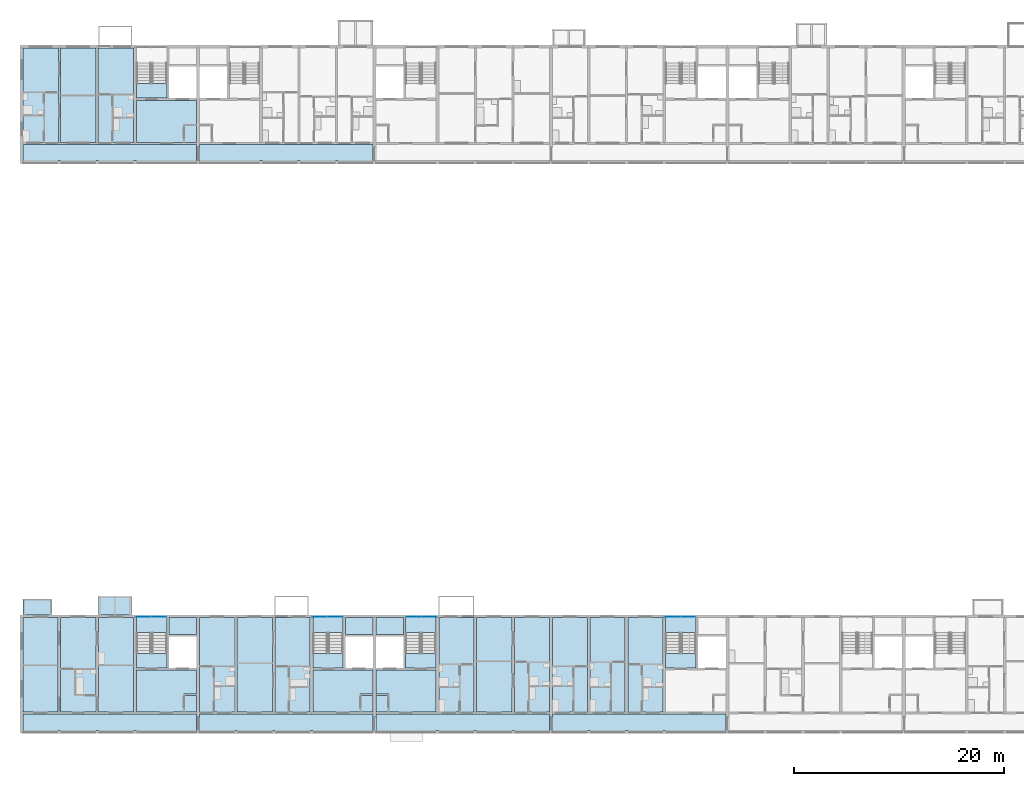
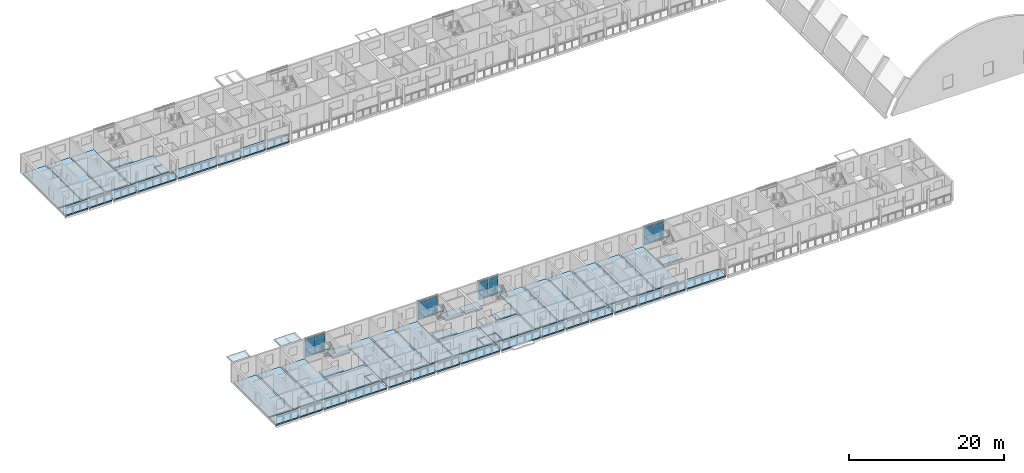
# One storey, part 24 of 100: 43 slabs, 16 plates, 8 elements without a shape of their own.
"""IFC4 building model written with IfcOpenShell, lengths in metres."""

from ifc_helpers import new_model, si_unit, direction, frame, origin, origin_2d, place, context, subcontext, project, spatial, polyline, rectangle, outline, extrude, material, layer, layer_set, type_object, element, aggregate, save


model = new_model("IFC4")

# Units and contexts
model_context = context("Model", 3, precision=1e-05, world=origin(), true_north=direction((0.0, 1.0)))
body_context = subcontext(model_context, "Body", "Model", "MODEL_VIEW")
ifc_project = project(units=[si_unit("LENGTHUNIT", "METRE"), si_unit("AREAUNIT", "SQUARE_METRE"), si_unit("VOLUMEUNIT", "CUBIC_METRE"), si_unit("PLANEANGLEUNIT", "RADIAN"), si_unit("MASSUNIT", "GRAM", prefix="KILO")], contexts=[model_context])

# Site, building, storey
site_placement = place(None, origin())
site = spatial("IfcSite", under=ifc_project, at=site_placement, CompositionType="ELEMENT")
building_placement = place(site_placement, origin())
building = spatial("IfcBuilding", under=site, at=building_placement, Name="Ridgestep Commons", CompositionType="ELEMENT")
storey_placement = place(building_placement, frame((0.0, 0.0, 9.0)))
storey = spatial("IfcBuildingStorey", under=building, at=storey_placement, Name="L03", CompositionType="ELEMENT", Elevation=9.0)

# Slabs
ifc_material_1 = material(Name="Precast concrete C40/50", Category="concrete")
ifc_layer_1 = layer(ifc_material_1, 0.199951171875)
ifc_layer_set_1 = layer_set([ifc_layer_1], Name="Gallery slab 200")
slab_type_1 = type_object("IfcSlabType", Name="Gallery slab 200", PredefinedType="FLOOR", material=ifc_layer_set_1)
slab_1_placement = place(storey_placement, frame((0.0, 0.0, -0.199951171875)))
element("IfcSlab", 1, at=slab_1_placement, inside=storey, type_object=slab_type_1, Name="Gallery slab A1 L03", PredefinedType="FLOOR", context=body_context, shape_type="SweptSolid", body=[
    extrude(outline(polyline([(28.64990234375, 13.550048828125), (12.14990234375, 13.550048828125), (12.14990234375, 11.75), (15.47509765625, 11.75), (15.47509765625, 12.0), (15.72509765625, 12.0), (15.72509765625, 11.75), (19.074951171875, 11.75), (19.074951171875, 12.0), (19.324951171875, 12.0), (19.324951171875, 11.75), (22.675048828125, 11.75), (22.675048828125, 12.0), (22.925048828125, 12.0), (22.925048828125, 11.75), (28.64990234375, 11.75), (28.64990234375, 13.550048828125)])), origin(), (0.0, 0.0, 1.0), 0.199951171875),
])
slab_2_placement = place(storey_placement, frame((0.0, 0.0, -0.199951171875)))
element("IfcSlab", 2, at=slab_2_placement, inside=storey, type_object=slab_type_1, Name="Gallery slab A2 L03", PredefinedType="FLOOR", context=body_context, shape_type="SweptSolid", body=[
    extrude(outline(polyline([(45.449951171875, 13.550048828125), (28.949951171875, 13.550048828125), (28.949951171875, 11.75), (32.27490234375, 11.75), (32.27490234375, 12.0), (32.52490234375, 12.0), (32.52490234375, 11.75), (35.875, 11.75), (35.875, 12.0), (36.125, 12.0), (36.125, 11.75), (39.47509765625, 11.75), (39.47509765625, 12.0), (39.72509765625, 12.0), (39.72509765625, 11.75), (45.449951171875, 11.75), (45.449951171875, 13.550048828125)])), origin(), (0.0, 0.0, 1.0), 0.199951171875),
])
slab_3_placement = place(storey_placement, frame((0.0, 0.0, -0.199951171875)))
element("IfcSlab", 3, at=slab_3_placement, inside=storey, type_object=slab_type_1, Name="Gallery slab A3 L03", PredefinedType="FLOOR", context=body_context, shape_type="SweptSolid", body=[
    extrude(outline(polyline([(62.25, 13.550048828125), (45.75, 13.550048828125), (45.75, 11.75), (51.47509765625, 11.75), (51.47509765625, 12.0), (51.72509765625, 12.0), (51.72509765625, 11.75), (55.074951171875, 11.75), (55.074951171875, 12.0), (55.324951171875, 12.0), (55.324951171875, 11.75), (58.675048828125, 11.75), (58.675048828125, 12.0), (58.925048828125, 12.0), (58.925048828125, 11.75), (62.25, 11.75), (62.25, 13.550048828125)])), origin(), (0.0, 0.0, 1.0), 0.199951171875),
])
slab_4_placement = place(storey_placement, frame((0.0, 0.0, -0.199951171875)))
element("IfcSlab", 4, at=slab_4_placement, inside=storey, type_object=slab_type_1, Name="Gallery slab A4 L03", PredefinedType="FLOOR", context=body_context, shape_type="SweptSolid", body=[
    extrude(outline(polyline([(79.050048828125, 13.550048828125), (62.550048828125, 13.550048828125), (62.550048828125, 11.75), (65.875, 11.75), (65.875, 12.0), (66.125, 12.0), (66.125, 11.75), (69.47509765625, 11.75), (69.47509765625, 12.0), (69.72509765625, 12.0), (69.72509765625, 11.75), (73.074951171875, 11.75), (73.074951171875, 12.0), (73.324951171875, 12.0), (73.324951171875, 11.75), (79.050048828125, 11.75), (79.050048828125, 13.550048828125)])), origin(), (0.0, 0.0, 1.0), 0.199951171875),
])
slab_5_placement = place(storey_placement, frame((0.0, 0.0, -0.199951171875)))
element("IfcSlab", 5, at=slab_5_placement, inside=storey, type_object=slab_type_1, Name="Gallery slab B1 L03", PredefinedType="FLOOR", context=body_context, shape_type="SweptSolid", body=[
    extrude(outline(polyline([(28.64990234375, 67.800048828125), (12.14990234375, 67.800048828125), (12.14990234375, 66.0), (15.47509765625, 66.0), (15.47509765625, 66.25), (15.72509765625, 66.25), (15.72509765625, 66.0), (19.074951171875, 66.0), (19.074951171875, 66.25), (19.324951171875, 66.25), (19.324951171875, 66.0), (22.675048828125, 66.0), (22.675048828125, 66.25), (22.925048828125, 66.25), (22.925048828125, 66.0), (28.64990234375, 66.0), (28.64990234375, 67.800048828125)])), origin(), (0.0, 0.0, 1.0), 0.199951171875),
])
slab_6_placement = place(storey_placement, frame((0.0, 0.0, -0.199951171875)))
element("IfcSlab", 6, at=slab_6_placement, inside=storey, type_object=slab_type_1, Name="Gallery slab B2 L03", PredefinedType="FLOOR", context=body_context, shape_type="SweptSolid", body=[
    extrude(outline(polyline([(45.449951171875, 67.800048828125), (28.949951171875, 67.800048828125), (28.949951171875, 66.0), (34.675048828125, 66.0), (34.675048828125, 66.25), (34.925048828125, 66.25), (34.925048828125, 66.0), (38.27490234375, 66.0), (38.27490234375, 66.25), (38.52490234375, 66.25), (38.52490234375, 66.0), (41.875, 66.0), (41.875, 66.25), (42.125, 66.25), (42.125, 66.0), (45.449951171875, 66.0), (45.449951171875, 67.800048828125)])), origin(), (0.0, 0.0, 1.0), 0.199951171875),
])

# Curtain wall, plates
ifc_material_2 = material(Name="Aluminium 6063-T6 and glass", Category="aluminium")
curtain_wall_type = type_object("IfcCurtainWallType", Name="Curtain wall stair strip", PredefinedType="NOTDEFINED", material=ifc_material_2)
curtain_wall_1_placement = place(storey_placement, origin())
curtain_wall_1 = element("IfcCurtainWall", 7, at=curtain_wall_1_placement, inside=storey, type_object=curtain_wall_type, Name="Curtain wall A1C level 03", PredefinedType="NOTDEFINED")
ifc_material_3 = material(Name="Glass laminated 6/16/6 low-emissivity", Category="glass")
ifc_layer_2 = layer(ifc_material_3, 0.028076171875)
ifc_layer_set_2 = layer_set([ifc_layer_2], Name="Glazing panel 28")
plate_type_1 = type_object("IfcPlateType", Name="Glazing panel 28", PredefinedType="CURTAIN_PANEL", material=ifc_layer_set_2)
plate_1_placement = place(storey_placement, frame((23.5712890625, 22.830078125, 0.06005859375), z_axis=(0.0, 0.0, 1.0), x_axis=(1.0, 0.0, 0.0)))
plate_1 = element("IfcPlate", 8, at=plate_1_placement, type_object=plate_type_1, Name="CW1 panel 1.1", PredefinedType="CURTAIN_PANEL", context=body_context, shape_type="SweptSolid", body=[
    extrude(rectangle(XDim=1.422607421875, YDim=0.028076171875, at=origin_2d()), origin(), (0.0, 0.0, 1.0), 2.5),
])
plate_2_placement = place(storey_placement, frame((25.0537109375, 22.830078125, 0.06005859375), z_axis=(0.0, 0.0, 1.0), x_axis=(1.0, 0.0, 0.0)))
plate_2 = element("IfcPlate", 9, at=plate_2_placement, type_object=plate_type_1, Name="CW1 panel 2.1", PredefinedType="CURTAIN_PANEL", context=body_context, shape_type="SweptSolid", body=[
    extrude(rectangle(XDim=1.422607421875, YDim=0.028076171875, at=origin_2d()), origin(), (0.0, 0.0, 1.0), 2.5),
])

curtain_wall_2_placement = place(storey_placement, origin())
curtain_wall_2 = element("IfcCurtainWall", 10, at=curtain_wall_2_placement, inside=storey, type_object=curtain_wall_type, Name="Curtain wall A2C level 03", PredefinedType="NOTDEFINED")
plate_3_placement = place(storey_placement, frame((40.371337890625, 22.830078125, 0.06005859375), z_axis=(0.0, 0.0, 1.0), x_axis=(1.0, 0.0, 0.0)))
plate_3 = element("IfcPlate", 11, at=plate_3_placement, type_object=plate_type_1, Name="CW1 panel 1.1", PredefinedType="CURTAIN_PANEL", context=body_context, shape_type="SweptSolid", body=[
    extrude(rectangle(XDim=1.422607421875, YDim=0.028076171875, at=origin_2d()), origin(), (0.0, 0.0, 1.0), 2.5),
])
plate_4_placement = place(storey_placement, frame((41.853759765625, 22.830078125, 0.06005859375), z_axis=(0.0, 0.0, 1.0), x_axis=(1.0, 0.0, 0.0)))
plate_4 = element("IfcPlate", 12, at=plate_4_placement, type_object=plate_type_1, Name="CW1 panel 2.1", PredefinedType="CURTAIN_PANEL", context=body_context, shape_type="SweptSolid", body=[
    extrude(rectangle(XDim=1.422607421875, YDim=0.028076171875, at=origin_2d()), origin(), (0.0, 0.0, 1.0), 2.5),
])

curtain_wall_3_placement = place(storey_placement, origin())
curtain_wall_3 = element("IfcCurtainWall", 13, at=curtain_wall_3_placement, inside=storey, type_object=curtain_wall_type, Name="Curtain wall A3C level 03", PredefinedType="NOTDEFINED")
plate_5_placement = place(storey_placement, frame((49.34619140625, 22.830078125, 0.06005859375), z_axis=(0.0, 0.0, 1.0), x_axis=(1.0, 0.0, 0.0)))
plate_5 = element("IfcPlate", 14, at=plate_5_placement, type_object=plate_type_1, Name="CW1 panel 1.1", PredefinedType="CURTAIN_PANEL", context=body_context, shape_type="SweptSolid", body=[
    extrude(rectangle(XDim=1.422607421875, YDim=0.028076171875, at=origin_2d()), origin(), (0.0, 0.0, 1.0), 2.5),
])
plate_6_placement = place(storey_placement, frame((50.828857421875, 22.830078125, 0.06005859375), z_axis=(0.0, 0.0, 1.0), x_axis=(1.0, 0.0, 0.0)))
plate_6 = element("IfcPlate", 15, at=plate_6_placement, type_object=plate_type_1, Name="CW1 panel 2.1", PredefinedType="CURTAIN_PANEL", context=body_context, shape_type="SweptSolid", body=[
    extrude(rectangle(XDim=1.422607421875, YDim=0.028076171875, at=origin_2d()), origin(), (0.0, 0.0, 1.0), 2.5),
])

curtain_wall_4_placement = place(storey_placement, origin())
curtain_wall_4 = element("IfcCurtainWall", 16, at=curtain_wall_4_placement, inside=storey, type_object=curtain_wall_type, Name="Curtain wall A4C level 03", PredefinedType="NOTDEFINED")
plate_7_placement = place(storey_placement, frame((73.97119140625, 22.830078125, 0.06005859375), z_axis=(0.0, 0.0, 1.0), x_axis=(1.0, 0.0, 0.0)))
plate_7 = element("IfcPlate", 17, at=plate_7_placement, type_object=plate_type_1, Name="CW1 panel 1.1", PredefinedType="CURTAIN_PANEL", context=body_context, shape_type="SweptSolid", body=[
    extrude(rectangle(XDim=1.422607421875, YDim=0.028076171875, at=origin_2d()), origin(), (0.0, 0.0, 1.0), 2.5),
])
plate_8_placement = place(storey_placement, frame((75.453857421875, 22.830078125, 0.06005859375), z_axis=(0.0, 0.0, 1.0), x_axis=(1.0, 0.0, 0.0)))
plate_8 = element("IfcPlate", 18, at=plate_8_placement, type_object=plate_type_1, Name="CW1 panel 2.1", PredefinedType="CURTAIN_PANEL", context=body_context, shape_type="SweptSolid", body=[
    extrude(rectangle(XDim=1.422607421875, YDim=0.028076171875, at=origin_2d()), origin(), (0.0, 0.0, 1.0), 2.5),
])

# Slabs
ifc_material_4 = material(Name="Precast concrete C50/60", Category="concrete")
ifc_layer_3 = layer(ifc_material_4, 0.199951171875)
ifc_layer_set_3 = layer_set([ifc_layer_3], Name="Hollow-core plank 200")
slab_type_2 = type_object("IfcSlabType", Name="Hollow-core plank 200", PredefinedType="FLOOR", material=ifc_layer_set_3)
slab_7_placement = place(storey_placement, frame((0.0, 0.0, -0.199951171875)))
element("IfcSlab", 19, at=slab_7_placement, inside=storey, type_object=slab_type_2, Name="Floor plank A1T1 L03", PredefinedType="FLOOR", context=body_context, shape_type="SweptSolid", body=[
    extrude(outline(polyline([(15.47509765625, 13.75), (15.47509765625, 22.75), (12.14990234375, 22.75), (12.14990234375, 13.75), (15.47509765625, 13.75)])), origin(), (0.0, 0.0, 1.0), 0.199951171875),
])
slab_8_placement = place(storey_placement, frame((0.0, 0.0, -0.199951171875)))
element("IfcSlab", 20, at=slab_8_placement, inside=storey, type_object=slab_type_2, Name="Floor plank A1T2 L03", PredefinedType="FLOOR", context=body_context, shape_type="SweptSolid", body=[
    extrude(outline(polyline([(19.074951171875, 13.75), (19.074951171875, 22.75), (15.72509765625, 22.75), (15.72509765625, 13.75), (19.074951171875, 13.75)])), origin(), (0.0, 0.0, 1.0), 0.199951171875),
])
slab_9_placement = place(storey_placement, frame((0.0, 0.0, -0.199951171875)))
element("IfcSlab", 21, at=slab_9_placement, inside=storey, type_object=slab_type_2, Name="Floor plank A1T3 L03", PredefinedType="FLOOR", context=body_context, shape_type="SweptSolid", body=[
    extrude(outline(polyline([(22.675048828125, 13.75), (22.675048828125, 22.75), (19.324951171875, 22.75), (19.324951171875, 13.75), (22.675048828125, 13.75)])), origin(), (0.0, 0.0, 1.0), 0.199951171875),
])
slab_10_placement = place(storey_placement, frame((0.0, 0.0, -0.199951171875)))
element("IfcSlab", 22, at=slab_10_placement, inside=storey, type_object=slab_type_2, Name="Floor plank A2T1 L03", PredefinedType="FLOOR", context=body_context, shape_type="SweptSolid", body=[
    extrude(outline(polyline([(32.27490234375, 13.75), (32.27490234375, 22.75), (28.949951171875, 22.75), (28.949951171875, 13.75), (32.27490234375, 13.75)])), origin(), (0.0, 0.0, 1.0), 0.199951171875),
])
slab_11_placement = place(storey_placement, frame((0.0, 0.0, -0.199951171875)))
element("IfcSlab", 23, at=slab_11_placement, inside=storey, type_object=slab_type_2, Name="Floor plank A2T2 L03", PredefinedType="FLOOR", context=body_context, shape_type="SweptSolid", body=[
    extrude(outline(polyline([(35.875, 13.75), (35.875, 22.75), (32.52490234375, 22.75), (32.52490234375, 13.75), (35.875, 13.75)])), origin(), (0.0, 0.0, 1.0), 0.199951171875),
])
slab_12_placement = place(storey_placement, frame((0.0, 0.0, -0.199951171875)))
element("IfcSlab", 24, at=slab_12_placement, inside=storey, type_object=slab_type_2, Name="Floor plank A2T3 L03", PredefinedType="FLOOR", context=body_context, shape_type="SweptSolid", body=[
    extrude(outline(polyline([(39.47509765625, 13.75), (39.47509765625, 22.75), (36.125, 22.75), (36.125, 13.75), (39.47509765625, 13.75)])), origin(), (0.0, 0.0, 1.0), 0.199951171875),
])
slab_13_placement = place(storey_placement, frame((0.0, 0.0, -0.199951171875)))
element("IfcSlab", 25, at=slab_13_placement, inside=storey, type_object=slab_type_2, Name="Floor plank A3T3 L03", PredefinedType="FLOOR", context=body_context, shape_type="SweptSolid", body=[
    extrude(outline(polyline([(55.074951171875, 13.75), (55.074951171875, 22.75), (51.72509765625, 22.75), (51.72509765625, 13.75), (55.074951171875, 13.75)])), origin(), (0.0, 0.0, 1.0), 0.199951171875),
])
slab_14_placement = place(storey_placement, frame((0.0, 0.0, -0.199951171875)))
element("IfcSlab", 26, at=slab_14_placement, inside=storey, type_object=slab_type_2, Name="Floor plank A3T2 L03", PredefinedType="FLOOR", context=body_context, shape_type="SweptSolid", body=[
    extrude(outline(polyline([(58.675048828125, 13.75), (58.675048828125, 22.75), (55.324951171875, 22.75), (55.324951171875, 13.75), (58.675048828125, 13.75)])), origin(), (0.0, 0.0, 1.0), 0.199951171875),
])
slab_15_placement = place(storey_placement, frame((0.0, 0.0, -0.199951171875)))
element("IfcSlab", 27, at=slab_15_placement, inside=storey, type_object=slab_type_2, Name="Floor plank A3T1 L03", PredefinedType="FLOOR", context=body_context, shape_type="SweptSolid", body=[
    extrude(outline(polyline([(62.25, 13.75), (62.25, 22.75), (58.925048828125, 22.75), (58.925048828125, 13.75), (62.25, 13.75)])), origin(), (0.0, 0.0, 1.0), 0.199951171875),
])
slab_16_placement = place(storey_placement, frame((0.0, 0.0, -0.199951171875)))
element("IfcSlab", 28, at=slab_16_placement, inside=storey, type_object=slab_type_2, Name="Floor plank A4T1 L03", PredefinedType="FLOOR", context=body_context, shape_type="SweptSolid", body=[
    extrude(outline(polyline([(65.875, 13.75), (65.875, 22.75), (62.550048828125, 22.75), (62.550048828125, 13.75), (65.875, 13.75)])), origin(), (0.0, 0.0, 1.0), 0.199951171875),
])
slab_17_placement = place(storey_placement, frame((0.0, 0.0, -0.199951171875)))
element("IfcSlab", 29, at=slab_17_placement, inside=storey, type_object=slab_type_2, Name="Floor plank A4T2 L03", PredefinedType="FLOOR", context=body_context, shape_type="SweptSolid", body=[
    extrude(outline(polyline([(69.47509765625, 13.75), (69.47509765625, 22.75), (66.125, 22.75), (66.125, 13.75), (69.47509765625, 13.75)])), origin(), (0.0, 0.0, 1.0), 0.199951171875),
])
slab_18_placement = place(storey_placement, frame((0.0, 0.0, -0.199951171875)))
element("IfcSlab", 30, at=slab_18_placement, inside=storey, type_object=slab_type_2, Name="Floor plank A4T3 L03", PredefinedType="FLOOR", context=body_context, shape_type="SweptSolid", body=[
    extrude(outline(polyline([(73.074951171875, 13.75), (73.074951171875, 22.75), (69.72509765625, 22.75), (69.72509765625, 13.75), (73.074951171875, 13.75)])), origin(), (0.0, 0.0, 1.0), 0.199951171875),
])
slab_19_placement = place(storey_placement, frame((0.0, 0.0, -0.199951171875)))
element("IfcSlab", 31, at=slab_19_placement, inside=storey, type_object=slab_type_2, Name="Floor plank B1T1 L03", PredefinedType="FLOOR", context=body_context, shape_type="SweptSolid", body=[
    extrude(outline(polyline([(15.5, 68.0), (15.5, 77.0), (12.14990234375, 77.0), (12.14990234375, 68.0), (15.5, 68.0)])), origin(), (0.0, 0.0, 1.0), 0.199951171875),
])
slab_20_placement = place(storey_placement, frame((0.0, 0.0, -0.199951171875)))
element("IfcSlab", 32, at=slab_20_placement, inside=storey, type_object=slab_type_2, Name="Floor plank B1T2 L03", PredefinedType="FLOOR", context=body_context, shape_type="SweptSolid", body=[
    extrude(outline(polyline([(19.10009765625, 68.0), (19.10009765625, 77.0), (15.699951171875, 77.0), (15.699951171875, 68.0), (19.10009765625, 68.0)])), origin(), (0.0, 0.0, 1.0), 0.199951171875),
])
slab_21_placement = place(storey_placement, frame((0.0, 0.0, -0.199951171875)))
element("IfcSlab", 33, at=slab_21_placement, inside=storey, type_object=slab_type_2, Name="Floor plank B1T3 L03", PredefinedType="FLOOR", context=body_context, shape_type="SweptSolid", body=[
    extrude(outline(polyline([(22.675048828125, 68.0), (22.675048828125, 77.0), (19.300048828125, 77.0), (19.300048828125, 68.0), (22.675048828125, 68.0)])), origin(), (0.0, 0.0, 1.0), 0.199951171875),
])
ifc_material_5 = material(Name="Precast concrete C50/60", Category="concrete")
ifc_layer_4 = layer(ifc_material_5, 0.25)
ifc_layer_set_4 = layer_set([ifc_layer_4], Name="Hollow-core plank 250")
slab_type_3 = type_object("IfcSlabType", Name="Hollow-core plank 250", PredefinedType="FLOOR", material=ifc_layer_set_4)
slab_22_placement = place(storey_placement, frame((0.0, 0.0, -0.25)))
element("IfcSlab", 34, at=slab_22_placement, inside=storey, type_object=slab_type_3, Name="Floor plank A1C L03", PredefinedType="FLOOR", context=body_context, shape_type="SweptSolid", body=[
    extrude(outline(polyline([(27.52001953125, 15.469970703125), (28.64990234375, 15.469970703125), (28.64990234375, 17.75), (22.925048828125, 17.75), (22.925048828125, 13.75), (27.39990234375, 13.75), (27.39990234375, 15.469970703125), (27.52001953125, 15.469970703125)])), origin(), (0.0, 0.0, 1.0), 0.25),
])
slab_23_placement = place(storey_placement, frame((0.0, 0.0, -0.25)))
element("IfcSlab", 35, at=slab_23_placement, inside=storey, type_object=slab_type_3, Name="Floor plank A1C L03", PredefinedType="FLOOR", context=body_context, shape_type="SweptSolid", body=[
    extrude(outline(polyline([(28.64990234375, 21.14990234375), (28.64990234375, 22.75), (26.02490234375, 22.75), (26.02490234375, 21.14990234375), (28.64990234375, 21.14990234375)])), origin(), (0.0, 0.0, 1.0), 0.25),
])
slab_24_placement = place(storey_placement, frame((0.0, 0.0, -0.25)))
element("IfcSlab", 36, at=slab_24_placement, inside=storey, type_object=slab_type_3, Name="Floor plank A1C L03", PredefinedType="FLOOR", context=body_context, shape_type="SweptSolid", body=[
    extrude(outline(polyline([(25.824951171875, 17.949951171875), (25.824951171875, 19.35009765625), (22.925048828125, 19.35009765625), (22.925048828125, 17.949951171875), (25.824951171875, 17.949951171875)])), origin(), (0.0, 0.0, 1.0), 0.25),
])
slab_25_placement = place(storey_placement, frame((0.0, 0.0, -0.25)))
element("IfcSlab", 37, at=slab_25_placement, inside=storey, type_object=slab_type_3, Name="Floor plank A1C L03", PredefinedType="FLOOR", context=body_context, shape_type="SweptSolid", body=[
    extrude(outline(polyline([(27.52001953125, 13.75), (28.64990234375, 13.75), (28.64990234375, 15.35009765625), (27.52001953125, 15.35009765625), (27.52001953125, 13.75)])), origin(), (0.0, 0.0, 1.0), 0.25),
])
slab_26_placement = place(storey_placement, frame((0.0, 0.0, -0.25)))
element("IfcSlab", 38, at=slab_26_placement, inside=storey, type_object=slab_type_3, Name="Floor plank A2C L03", PredefinedType="FLOOR", context=body_context, shape_type="SweptSolid", body=[
    extrude(outline(polyline([(44.320068359375, 15.469970703125), (45.449951171875, 15.469970703125), (45.449951171875, 17.75), (39.72509765625, 17.75), (39.72509765625, 13.75), (44.199951171875, 13.75), (44.199951171875, 15.469970703125), (44.320068359375, 15.469970703125)])), origin(), (0.0, 0.0, 1.0), 0.25),
])
slab_27_placement = place(storey_placement, frame((0.0, 0.0, -0.25)))
element("IfcSlab", 39, at=slab_27_placement, inside=storey, type_object=slab_type_3, Name="Floor plank A2C L03", PredefinedType="FLOOR", context=body_context, shape_type="SweptSolid", body=[
    extrude(outline(polyline([(45.449951171875, 21.14990234375), (45.449951171875, 22.75), (42.824951171875, 22.75), (42.824951171875, 21.14990234375), (45.449951171875, 21.14990234375)])), origin(), (0.0, 0.0, 1.0), 0.25),
])
slab_28_placement = place(storey_placement, frame((0.0, 0.0, -0.25)))
element("IfcSlab", 40, at=slab_28_placement, inside=storey, type_object=slab_type_3, Name="Floor plank A2C L03", PredefinedType="FLOOR", context=body_context, shape_type="SweptSolid", body=[
    extrude(outline(polyline([(42.625, 17.949951171875), (42.625, 19.35009765625), (39.72509765625, 19.35009765625), (39.72509765625, 17.949951171875), (42.625, 17.949951171875)])), origin(), (0.0, 0.0, 1.0), 0.25),
])
slab_29_placement = place(storey_placement, frame((0.0, 0.0, -0.25)))
element("IfcSlab", 41, at=slab_29_placement, inside=storey, type_object=slab_type_3, Name="Floor plank A2C L03", PredefinedType="FLOOR", context=body_context, shape_type="SweptSolid", body=[
    extrude(outline(polyline([(44.320068359375, 13.75), (45.449951171875, 13.75), (45.449951171875, 15.35009765625), (44.320068359375, 15.35009765625), (44.320068359375, 13.75)])), origin(), (0.0, 0.0, 1.0), 0.25),
])
slab_30_placement = place(storey_placement, frame((0.0, 0.0, -0.25)))
element("IfcSlab", 42, at=slab_30_placement, inside=storey, type_object=slab_type_3, Name="Floor plank A3C L03", PredefinedType="FLOOR", context=body_context, shape_type="SweptSolid", body=[
    extrude(outline(polyline([(47.0, 13.75), (51.47509765625, 13.75), (51.47509765625, 17.75), (45.75, 17.75), (45.75, 15.469970703125), (46.8798828125, 15.469970703125), (47.0, 15.469970703125), (47.0, 13.75)])), origin(), (0.0, 0.0, 1.0), 0.25),
])
slab_31_placement = place(storey_placement, frame((0.0, 0.0, -0.25)))
element("IfcSlab", 43, at=slab_31_placement, inside=storey, type_object=slab_type_3, Name="Floor plank A3C L03", PredefinedType="FLOOR", context=body_context, shape_type="SweptSolid", body=[
    extrude(outline(polyline([(48.375, 22.75), (45.75, 22.75), (45.75, 21.14990234375), (48.375, 21.14990234375), (48.375, 22.75)])), origin(), (0.0, 0.0, 1.0), 0.25),
])
slab_32_placement = place(storey_placement, frame((0.0, 0.0, -0.25)))
element("IfcSlab", 44, at=slab_32_placement, inside=storey, type_object=slab_type_3, Name="Floor plank A3C L03", PredefinedType="FLOOR", context=body_context, shape_type="SweptSolid", body=[
    extrude(outline(polyline([(51.47509765625, 17.949951171875), (51.47509765625, 19.35009765625), (48.574951171875, 19.35009765625), (48.574951171875, 17.949951171875), (51.47509765625, 17.949951171875)])), origin(), (0.0, 0.0, 1.0), 0.25),
])
slab_33_placement = place(storey_placement, frame((0.0, 0.0, -0.25)))
element("IfcSlab", 45, at=slab_33_placement, inside=storey, type_object=slab_type_3, Name="Floor plank A3C L03", PredefinedType="FLOOR", context=body_context, shape_type="SweptSolid", body=[
    extrude(outline(polyline([(46.8798828125, 15.35009765625), (45.75, 15.35009765625), (45.75, 13.75), (46.8798828125, 13.75), (46.8798828125, 15.35009765625)])), origin(), (0.0, 0.0, 1.0), 0.25),
])
slab_34_placement = place(storey_placement, frame((0.0, 0.0, -0.25)))
element("IfcSlab", 46, at=slab_34_placement, inside=storey, type_object=slab_type_3, Name="Floor plank A4C L03", PredefinedType="FLOOR", context=body_context, shape_type="SweptSolid", body=[
    extrude(outline(polyline([(76.22509765625, 17.949951171875), (76.22509765625, 19.35009765625), (73.324951171875, 19.35009765625), (73.324951171875, 17.949951171875), (76.22509765625, 17.949951171875)])), origin(), (0.0, 0.0, 1.0), 0.25),
])
slab_35_placement = place(storey_placement, frame((0.0, 0.0, -0.25)))
element("IfcSlab", 47, at=slab_35_placement, inside=storey, type_object=slab_type_3, Name="Floor plank B1C L03", PredefinedType="FLOOR", context=body_context, shape_type="SweptSolid", body=[
    extrude(outline(polyline([(27.52001953125, 69.719970703125), (28.64990234375, 69.719970703125), (28.64990234375, 72.0), (22.925048828125, 72.0), (22.925048828125, 68.0), (27.39990234375, 68.0), (27.39990234375, 69.719970703125), (27.52001953125, 69.719970703125)])), origin(), (0.0, 0.0, 1.0), 0.25),
])
slab_36_placement = place(storey_placement, frame((0.0, 0.0, -0.25)))
element("IfcSlab", 48, at=slab_36_placement, inside=storey, type_object=slab_type_3, Name="Floor plank B1C L03", PredefinedType="FLOOR", context=body_context, shape_type="SweptSolid", body=[
    extrude(outline(polyline([(25.824951171875, 72.199951171875), (25.824951171875, 73.60009765625), (22.925048828125, 73.60009765625), (22.925048828125, 72.199951171875), (25.824951171875, 72.199951171875)])), origin(), (0.0, 0.0, 1.0), 0.25),
])
slab_37_placement = place(storey_placement, frame((0.0, 0.0, -0.25)))
element("IfcSlab", 49, at=slab_37_placement, inside=storey, type_object=slab_type_3, Name="Floor plank B1C L03", PredefinedType="FLOOR", context=body_context, shape_type="SweptSolid", body=[
    extrude(outline(polyline([(27.52001953125, 68.0), (28.64990234375, 68.0), (28.64990234375, 69.60009765625), (27.52001953125, 69.60009765625), (27.52001953125, 68.0)])), origin(), (0.0, 0.0, 1.0), 0.25),
])

# Plate
ifc_material_6 = material(Name="Aluminium 6063-T6 and mineral wool", Category="aluminium")
ifc_layer_5 = layer(ifc_material_6, 0.0400390625)
ifc_layer_set_5 = layer_set([ifc_layer_5], Name="Spandrel panel 40")
plate_type_2 = type_object("IfcPlateType", Name="Spandrel panel 40", PredefinedType="CURTAIN_PANEL", material=ifc_layer_set_5)
plate_9_placement = place(storey_placement, frame((23.5712890625, 22.830078125, 2.6201171875), z_axis=(0.0, 0.0, 1.0), x_axis=(1.0, 0.0, 0.0)))
plate_9 = element("IfcPlate", 50, at=plate_9_placement, type_object=plate_type_2, Name="CW1 panel 1.2", PredefinedType="CURTAIN_PANEL", context=body_context, shape_type="SweptSolid", body=[
    extrude(rectangle(XDim=1.422607421875, YDim=0.0400390625, at=origin_2d()), origin(), (0.0, 0.0, 1.0), 0.320068359375),
])

plate_10_placement = place(storey_placement, frame((25.0537109375, 22.830078125, 2.6201171875), z_axis=(0.0, 0.0, 1.0), x_axis=(1.0, 0.0, 0.0)))
plate_10 = element("IfcPlate", 51, at=plate_10_placement, type_object=plate_type_2, Name="CW1 panel 2.2", PredefinedType="CURTAIN_PANEL", context=body_context, shape_type="SweptSolid", body=[
    extrude(rectangle(XDim=1.422607421875, YDim=0.0400390625, at=origin_2d()), origin(), (0.0, 0.0, 1.0), 0.320068359375),
])

aggregate(curtain_wall_1, [plate_1, plate_9, plate_2, plate_10])

plate_11_placement = place(storey_placement, frame((40.371337890625, 22.830078125, 2.6201171875), z_axis=(0.0, 0.0, 1.0), x_axis=(1.0, 0.0, 0.0)))
plate_11 = element("IfcPlate", 52, at=plate_11_placement, type_object=plate_type_2, Name="CW1 panel 1.2", PredefinedType="CURTAIN_PANEL", context=body_context, shape_type="SweptSolid", body=[
    extrude(rectangle(XDim=1.422607421875, YDim=0.0400390625, at=origin_2d()), origin(), (0.0, 0.0, 1.0), 0.320068359375),
])

plate_12_placement = place(storey_placement, frame((41.853759765625, 22.830078125, 2.6201171875), z_axis=(0.0, 0.0, 1.0), x_axis=(1.0, 0.0, 0.0)))
plate_12 = element("IfcPlate", 53, at=plate_12_placement, type_object=plate_type_2, Name="CW1 panel 2.2", PredefinedType="CURTAIN_PANEL", context=body_context, shape_type="SweptSolid", body=[
    extrude(rectangle(XDim=1.422607421875, YDim=0.0400390625, at=origin_2d()), origin(), (0.0, 0.0, 1.0), 0.320068359375),
])

aggregate(curtain_wall_2, [plate_3, plate_11, plate_4, plate_12])

plate_13_placement = place(storey_placement, frame((49.34619140625, 22.830078125, 2.6201171875), z_axis=(0.0, 0.0, 1.0), x_axis=(1.0, 0.0, 0.0)))
plate_13 = element("IfcPlate", 54, at=plate_13_placement, type_object=plate_type_2, Name="CW1 panel 1.2", PredefinedType="CURTAIN_PANEL", context=body_context, shape_type="SweptSolid", body=[
    extrude(rectangle(XDim=1.422607421875, YDim=0.0400390625, at=origin_2d()), origin(), (0.0, 0.0, 1.0), 0.320068359375),
])

plate_14_placement = place(storey_placement, frame((50.828857421875, 22.830078125, 2.6201171875), z_axis=(0.0, 0.0, 1.0), x_axis=(1.0, 0.0, 0.0)))
plate_14 = element("IfcPlate", 55, at=plate_14_placement, type_object=plate_type_2, Name="CW1 panel 2.2", PredefinedType="CURTAIN_PANEL", context=body_context, shape_type="SweptSolid", body=[
    extrude(rectangle(XDim=1.422607421875, YDim=0.0400390625, at=origin_2d()), origin(), (0.0, 0.0, 1.0), 0.320068359375),
])

aggregate(curtain_wall_3, [plate_5, plate_13, plate_6, plate_14])

plate_15_placement = place(storey_placement, frame((73.97119140625, 22.830078125, 2.6201171875), z_axis=(0.0, 0.0, 1.0), x_axis=(1.0, 0.0, 0.0)))
plate_15 = element("IfcPlate", 56, at=plate_15_placement, type_object=plate_type_2, Name="CW1 panel 1.2", PredefinedType="CURTAIN_PANEL", context=body_context, shape_type="SweptSolid", body=[
    extrude(rectangle(XDim=1.422607421875, YDim=0.0400390625, at=origin_2d()), origin(), (0.0, 0.0, 1.0), 0.320068359375),
])

plate_16_placement = place(storey_placement, frame((75.453857421875, 22.830078125, 2.6201171875), z_axis=(0.0, 0.0, 1.0), x_axis=(1.0, 0.0, 0.0)))
plate_16 = element("IfcPlate", 57, at=plate_16_placement, type_object=plate_type_2, Name="CW1 panel 2.2", PredefinedType="CURTAIN_PANEL", context=body_context, shape_type="SweptSolid", body=[
    extrude(rectangle(XDim=1.422607421875, YDim=0.0400390625, at=origin_2d()), origin(), (0.0, 0.0, 1.0), 0.320068359375),
])

aggregate(curtain_wall_4, [plate_7, plate_15, plate_8, plate_16])

# Stair, slab
ifc_material_7 = material(Name="Precast concrete C40/50", Category="concrete")
stair_type = type_object("IfcStairType", Name="Escape stair 1400", PredefinedType="HALF_TURN_STAIR", material=ifc_material_7)
stair_1_placement = place(storey_placement, origin())
stair_1 = element("IfcStair", 58, at=stair_1_placement, inside=storey, type_object=stair_type, Name="L03 Escape stair A1C", PredefinedType="HALF_TURN_STAIR")
ifc_material_8 = material(Name="Precast concrete C40/50", Category="concrete")
ifc_layer_6 = layer(ifc_material_8, 0.199951171875)
ifc_layer_set_6 = layer_set([ifc_layer_6], Name="Stair landing 200")
slab_type_4 = type_object("IfcSlabType", Name="Stair landing 200", PredefinedType="LANDING", material=ifc_layer_set_6)
slab_38_placement = place(storey_placement, frame((0.0, 0.0, 1.300048828125)))
slab_38 = element("IfcSlab", 59, at=slab_38_placement, type_object=slab_type_4, Name="A1C landing 1", PredefinedType="LANDING", context=body_context, shape_type="SweptSolid", body=[
    extrude(outline(polyline([(25.824951171875, 21.31005859375), (25.824951171875, 22.75), (22.925048828125, 22.75), (22.925048828125, 21.31005859375), (25.824951171875, 21.31005859375)])), origin(), (0.0, 0.0, 1.0), 0.199951171875),
])
aggregate(stair_1, [slab_38])

stair_2_placement = place(storey_placement, origin())
stair_2 = element("IfcStair", 60, at=stair_2_placement, inside=storey, type_object=stair_type, Name="L03 Escape stair A2C", PredefinedType="HALF_TURN_STAIR")
slab_39_placement = place(storey_placement, frame((0.0, 0.0, 1.300048828125)))
slab_39 = element("IfcSlab", 61, at=slab_39_placement, type_object=slab_type_4, Name="A2C landing 1", PredefinedType="LANDING", context=body_context, shape_type="SweptSolid", body=[
    extrude(outline(polyline([(42.625, 21.31005859375), (42.625, 22.75), (39.72509765625, 22.75), (39.72509765625, 21.31005859375), (42.625, 21.31005859375)])), origin(), (0.0, 0.0, 1.0), 0.199951171875),
])
aggregate(stair_2, [slab_39])

stair_3_placement = place(storey_placement, origin())
stair_3 = element("IfcStair", 62, at=stair_3_placement, inside=storey, type_object=stair_type, Name="L03 Escape stair A3C", PredefinedType="HALF_TURN_STAIR")
slab_40_placement = place(storey_placement, frame((0.0, 0.0, 1.300048828125)))
slab_40 = element("IfcSlab", 63, at=slab_40_placement, type_object=slab_type_4, Name="A3C landing 1", PredefinedType="LANDING", context=body_context, shape_type="SweptSolid", body=[
    extrude(outline(polyline([(51.47509765625, 21.31005859375), (51.47509765625, 22.75), (48.574951171875, 22.75), (48.574951171875, 21.31005859375), (51.47509765625, 21.31005859375)])), origin(), (0.0, 0.0, 1.0), 0.199951171875),
])
aggregate(stair_3, [slab_40])

stair_4_placement = place(storey_placement, origin())
stair_4 = element("IfcStair", 64, at=stair_4_placement, inside=storey, type_object=stair_type, Name="L03 Escape stair A4C", PredefinedType="HALF_TURN_STAIR")
slab_41_placement = place(storey_placement, frame((0.0, 0.0, 1.300048828125)))
slab_41 = element("IfcSlab", 65, at=slab_41_placement, type_object=slab_type_4, Name="A4C landing 1", PredefinedType="LANDING", context=body_context, shape_type="SweptSolid", body=[
    extrude(outline(polyline([(76.22509765625, 21.31005859375), (76.22509765625, 22.75), (73.324951171875, 22.75), (73.324951171875, 21.31005859375), (76.22509765625, 21.31005859375)])), origin(), (0.0, 0.0, 1.0), 0.199951171875),
])
aggregate(stair_4, [slab_41])

# Slabs
ifc_material_9 = material(Name="Weathering steel S355J2W", Category="steel")
ifc_layer_7 = layer(ifc_material_9, 0.010009765625)
ifc_layer_set_7 = layer_set([ifc_layer_7], Name="Tray 2.8 x 1.5")
slab_type_5 = type_object("IfcSlabType", Name="Tray 2.8 x 1.5", PredefinedType="FLOOR", material=ifc_layer_set_7)
slab_42_placement = place(storey_placement, frame((0.0, 0.0, 2.989990234375)))
element("IfcSlab", 66, at=slab_42_placement, inside=storey, type_object=slab_type_5, Name="Tray deck A1T1-04", PredefinedType="FLOOR", context=body_context, shape_type="SweptSolid", body=[
    extrude(outline(polyline([(12.1298828125, 23.0), (14.8701171875, 23.0), (14.8701171875, 24.5), (12.1298828125, 24.5), (12.1298828125, 23.0)])), origin(), (0.0, 0.0, 1.0), 0.010009765625),
])
ifc_material_10 = material(Name="Weathering steel S355J2W", Category="steel")
ifc_layer_8 = layer(ifc_material_10, 0.010009765625)
ifc_layer_set_8 = layer_set([ifc_layer_8], Name="Tray 3.2 x 1.8")
slab_type_6 = type_object("IfcSlabType", Name="Tray 3.2 x 1.8", PredefinedType="FLOOR", material=ifc_layer_set_8)
slab_43_placement = place(storey_placement, frame((0.0, 0.0, 2.989990234375)))
element("IfcSlab", 67, at=slab_43_placement, inside=storey, type_object=slab_type_6, Name="Tray deck A1T3-04", PredefinedType="FLOOR", context=body_context, shape_type="SweptSolid", body=[
    extrude(outline(polyline([(19.330078125, 23.0), (22.469970703125, 23.0), (22.469970703125, 24.800048828125), (19.330078125, 24.800048828125), (19.330078125, 23.0)])), origin(), (0.0, 0.0, 1.0), 0.010009765625),
])

save(model, "model.ifc")
